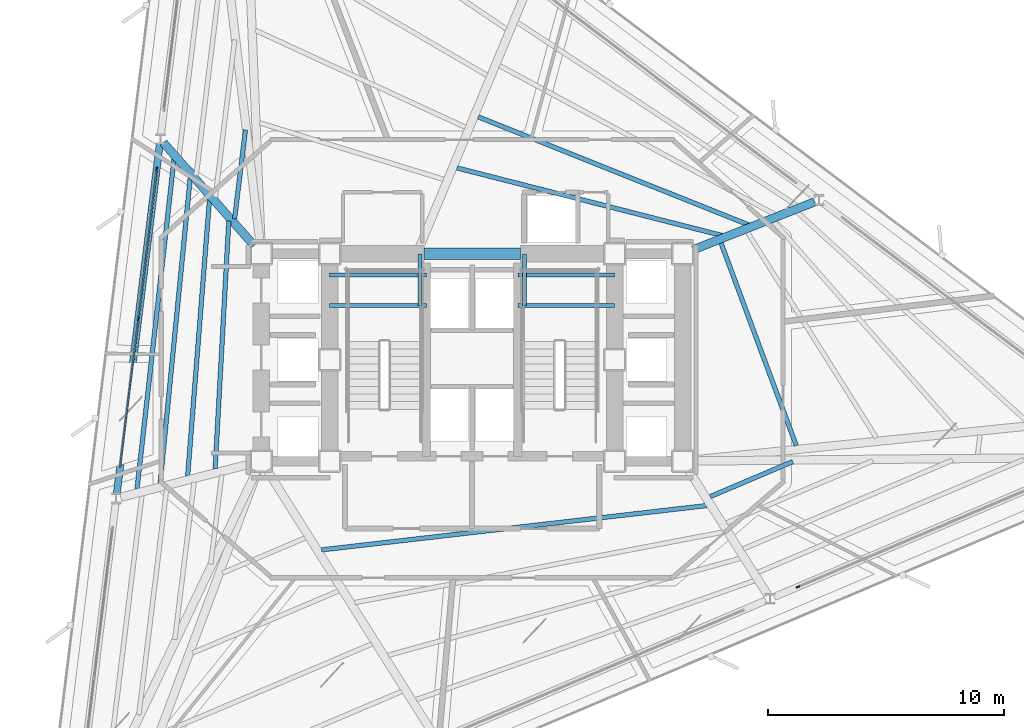
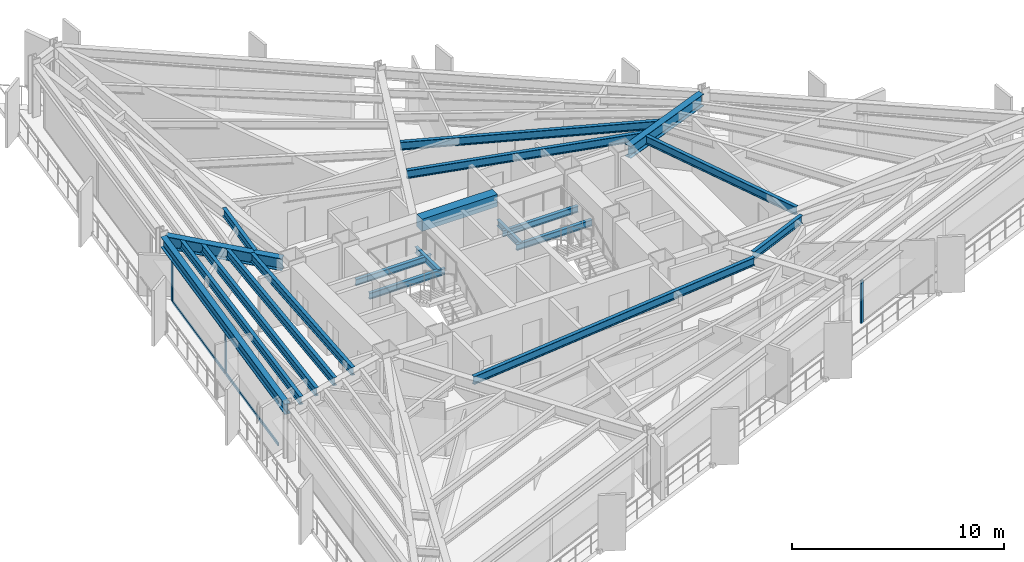
# One storey, part 3 of 13: 20 beams, 7 members, 2 elements without a shape of their own.
"""IFC4 building model written with IfcOpenShell, lengths in metres."""

from ifc_helpers import new_model, si_unit, direction, frame, origin, origin_2d, place, context, subcontext, project, spatial, rectangle, i_section, extrude, material, layer, layer_set, material_profile, profile_set, type_object, element, aggregate, save


model = new_model("IFC4")

# Units and contexts
model_context = context("Model", 3, precision=1e-05, world=origin(), true_north=direction((0.0, 1.0)))
body_context = subcontext(model_context, "Body", "Model", "MODEL_VIEW")
ifc_project = project(units=[si_unit("LENGTHUNIT", "METRE"), si_unit("AREAUNIT", "SQUARE_METRE"), si_unit("VOLUMEUNIT", "CUBIC_METRE"), si_unit("PLANEANGLEUNIT", "RADIAN"), si_unit("MASSUNIT", "GRAM", prefix="KILO")], contexts=[model_context])

# Site, building, storey
site_placement = place(None, origin())
site = spatial("IfcSite", under=ifc_project, at=site_placement, CompositionType="ELEMENT")
building_placement = place(site_placement, origin())
building = spatial("IfcBuilding", under=site, at=building_placement, Name="Rocaltana Carrier Exchange", CompositionType="ELEMENT")
storey_placement = place(building_placement, frame((0.0, 0.0, 66.39990234375)))
storey = spatial("IfcBuildingStorey", under=building, at=storey_placement, Name="L20", CompositionType="ELEMENT", Elevation=66.39990234375)

# Curtain wall, members
ifc_material_1 = material(Name="Aluminium 6063-T6", Category="aluminium")
ifc_layer = layer(ifc_material_1, 0.1650390625)
ifc_layer_set = layer_set([ifc_layer], Name="Aluminium 6063-T6")
curtain_wall_type = type_object("IfcCurtainWallType", Name="Lower-Mid Stepped Curtain Wall CW-02", PredefinedType="NOTDEFINED", material=ifc_layer_set)
curtain_wall_1_placement = place(storey_placement, origin())
curtain_wall_1 = element("IfcCurtainWall", 1, at=curtain_wall_1_placement, inside=storey, type_object=curtain_wall_type, Name="L20 CW-02 Run CW-L20-F2S2", PredefinedType="NOTDEFINED")
ifc_material_2 = material(Name="Aluminium 6063-T6", Category="aluminium")
ifc_material_profile_1 = material_profile(ifc_material_2, rectangle(XDim=0.06494140625, YDim=0.1650390625, at=origin_2d()), Name="AL-65X165")
ifc_profile_set_1 = profile_set([ifc_material_profile_1], Name="Aluminium 6063-T6")
member_type_1 = type_object("IfcMemberType", Name="CW-02 Mullion AL-65X165", PredefinedType="MULLION", material=ifc_profile_set_1)
member_1_placement = place(storey_placement, frame((-13.39404296875, 8.093505859375, 0.0), z_axis=(0.0, 0.0, 1.0), x_axis=(0.992545632614, -0.121873570472, 0.0)))
member_1 = element("IfcMember", 2, at=member_1_placement, type_object=member_type_1, Name="CW-02 mullion 1", PredefinedType="MULLION", context=body_context, shape_type="SweptSolid", body=[
    extrude(rectangle(XDim=0.06494140625, YDim=0.1650390625, at=origin_2d()), origin(), (0.0, 0.0, 1.0), 2.47802734375),
])
member_2_placement = place(storey_placement, frame((-14.17431640625, 1.740234375, 0.0), z_axis=(0.0, 0.0, 1.0), x_axis=(0.992545632614, -0.121873570472, 0.0)))
member_2 = element("IfcMember", 3, at=member_2_placement, type_object=member_type_1, Name="CW-02 mullion 2", PredefinedType="MULLION", context=body_context, shape_type="SweptSolid", body=[
    extrude(rectangle(XDim=0.06494140625, YDim=0.1650390625, at=origin_2d()), origin(), (0.0, 0.0, 1.0), 2.47802734375),
])

# Curtain wall, member
curtain_wall_2_placement = place(storey_placement, origin())
curtain_wall_2 = element("IfcCurtainWall", 4, at=curtain_wall_2_placement, inside=storey, type_object=curtain_wall_type, Name="L20 CW-02 Run CW-L20-F3S3", PredefinedType="NOTDEFINED")
member_3_placement = place(storey_placement, frame((13.8330078125, -9.642333984375, 0.0), z_axis=(0.0, 0.0, 1.0), x_axis=(-0.390735259141, 0.920503100084, 0.0)))
member_3 = element("IfcMember", 5, at=member_3_placement, type_object=member_type_1, Name="CW-02 mullion 1", PredefinedType="MULLION", context=body_context, shape_type="SweptSolid", body=[
    extrude(rectangle(XDim=0.06494140625, YDim=0.1650390625, at=origin_2d()), origin(), (0.0, 0.0, 1.0), 2.47802734375),
])
aggregate(curtain_wall_2, [member_3])

# Member
ifc_material_3 = material(Name="Aluminium 6063-T6", Category="aluminium")
ifc_material_profile_2 = material_profile(ifc_material_3, rectangle(XDim=0.06494140625, YDim=0.1650390625, at=origin_2d()), Name="AL-65X165")
ifc_profile_set_2 = profile_set([ifc_material_profile_2], Name="Aluminium 6063-T6")
member_type_2 = type_object("IfcMemberType", Name="CW-02 Transom AL-65X165", PredefinedType="USERDEFINED", material=ifc_profile_set_2)
member_4_placement = place(storey_placement, frame((-13.398193359375, 8.061279296875, 0.03271484375), z_axis=(-0.121881311797, -0.992544682034, 0.0), x_axis=(0.992544682034, -0.121881311797, 0.0)))
member_4 = element("IfcMember", 6, at=member_4_placement, type_object=member_type_2, Name="CW-02 transom 1.1", ObjectType="TRANSOM", PredefinedType="USERDEFINED", context=body_context, shape_type="SweptSolid", body=[
    extrude(rectangle(XDim=0.06494140625, YDim=0.1650390625, at=origin_2d()), origin(), (0.0, 0.0, 1.0), 6.335693359375),
])

member_5_placement = place(storey_placement, frame((-13.398193359375, 8.061279296875, 2.445556640625), z_axis=(-0.121881311797, -0.992544682034, 0.0), x_axis=(0.992544682034, -0.121881311797, 0.0)))
member_5 = element("IfcMember", 7, at=member_5_placement, type_object=member_type_2, Name="CW-02 transom 1.2", ObjectType="TRANSOM", PredefinedType="USERDEFINED", context=body_context, shape_type="SweptSolid", body=[
    extrude(rectangle(XDim=0.06494140625, YDim=0.1650390625, at=origin_2d()), origin(), (0.0, 0.0, 1.0), 6.335693359375),
])

member_6_placement = place(storey_placement, frame((-14.17822265625, 1.7080078125, 0.03271484375), z_axis=(-0.121881311797, -0.992544682034, 0.0), x_axis=(0.992544682034, -0.121881311797, 0.0)))
member_6 = element("IfcMember", 8, at=member_6_placement, type_object=member_type_2, Name="CW-02 transom 2.1", ObjectType="TRANSOM", PredefinedType="USERDEFINED", context=body_context, shape_type="SweptSolid", body=[
    extrude(rectangle(XDim=0.06494140625, YDim=0.1650390625, at=origin_2d()), origin(), (0.0, 0.0, 1.0), 6.335693359375),
])

member_7_placement = place(storey_placement, frame((-14.17822265625, 1.7080078125, 2.445556640625), z_axis=(-0.121881311797, -0.992544682034, 0.0), x_axis=(0.992544682034, -0.121881311797, 0.0)))
member_7 = element("IfcMember", 9, at=member_7_placement, type_object=member_type_2, Name="CW-02 transom 2.2", ObjectType="TRANSOM", PredefinedType="USERDEFINED", context=body_context, shape_type="SweptSolid", body=[
    extrude(rectangle(XDim=0.06494140625, YDim=0.1650390625, at=origin_2d()), origin(), (0.0, 0.0, 1.0), 6.335693359375),
])

aggregate(curtain_wall_1, [member_1, member_2, member_4, member_5, member_6, member_7])

# Beams
ifc_material_4 = material(Name="Concrete C60/75", Category="concrete")
ifc_material_profile_3 = material_profile(ifc_material_4, rectangle(XDim=0.5, YDim=0.699951171875, at=origin_2d()), Name="RC-BM-500X700")
ifc_profile_set_3 = profile_set([ifc_material_profile_3], Name="Concrete C60/75")
beam_type_1 = type_object("IfcBeamType", Name="Core Coupling Lintel 500x700", PredefinedType="LINTEL", material=ifc_profile_set_3)
beam_1_placement = place(storey_placement, frame((-2.050048828125, 4.5, 2.748046875), z_axis=(1.0, 0.0, 0.0), x_axis=(0.0, 1.0, 0.0)))
element("IfcBeam", 10, at=beam_1_placement, inside=storey, type_object=beam_type_1, Name="L20 Core Coupling Lintel CL-N", PredefinedType="LINTEL", context=body_context, shape_type="SweptSolid", body=[
    extrude(rectangle(XDim=0.5, YDim=0.699951171875, at=origin_2d()), origin(), (0.0, 0.0, 1.0), 4.10009765625),
])
ifc_material_5 = material(Name="Steel S355", Category="steel")
ifc_material_profile_4 = material_profile(ifc_material_5, i_section(OverallWidth=0.172119140625, OverallDepth=0.35791015625, WebThickness=0.0078125, FlangeThickness=0.01318359375, FilletRadius=0.011962890625, at=origin_2d()), Name="W14X38")
ifc_profile_set_4 = profile_set([ifc_material_profile_4], Name="Steel S355")
beam_type_2 = type_object("IfcBeamType", Name="Floor Joist W14X38", PredefinedType="JOIST", material=ifc_profile_set_4)
for number, where, z_axis, x_axis, name in (
    (11, (-6.050048828125, 2.300048828125, 1.301025390625), (1.0, 0.0, 0.0), (0.0, 1.0, 0.0), "L20 ST-1 Landing Carrier 1"),
    (12, (1.93994140625, 2.300048828125, 1.301025390625), (1.0, 0.0, 0.0), (0.0, 1.0, 0.0), "L20 ST-2 Landing Carrier 1"),
    (13, (-6.050048828125, 3.60009765625, 1.301025390625), (1.0, 0.0, 0.0), (0.0, 1.0, 0.0), "L20 ST-1 Landing Carrier 2"),
    (14, (1.93994140625, 3.60009765625, 1.301025390625), (1.0, 0.0, 0.0), (0.0, 1.0, 0.0), "L20 ST-2 Landing Carrier 2"),
):
    element("IfcBeam", number, at=place(storey_placement, frame(where, z_axis=z_axis, x_axis=x_axis)), inside=storey, type_object=beam_type_2, Name=name, PredefinedType="JOIST", context=body_context, shape_type="SweptSolid", body=[
        extrude(i_section(OverallWidth=0.172119140625, OverallDepth=0.35791015625, WebThickness=0.0078125, FlangeThickness=0.01318359375, FilletRadius=0.011962890625, at=origin_2d()), origin(), (0.0, 0.0, 1.0), 4.110107421875),
    ])
for number, where, z_axis, x_axis, name in (
    (15, (-2.219970703125, 2.300048828125, 1.301025390625), (0.0, 1.0, 0.0), (-1.0, 0.0, 0.0), "L20 ST-1 Landing Cross Trimmer"),
    (16, (2.219970703125, 2.300048828125, 1.301025390625), (0.0, 1.0, 0.0), (-1.0, 0.0, 0.0), "L20 ST-2 Landing Cross Trimmer"),
):
    element("IfcBeam", number, at=place(storey_placement, frame(where, z_axis=z_axis, x_axis=x_axis)), inside=storey, type_object=beam_type_2, Name=name, PredefinedType="JOIST", context=body_context, shape_type="SweptSolid", body=[
        extrude(i_section(OverallWidth=0.172119140625, OverallDepth=0.35791015625, WebThickness=0.0078125, FlangeThickness=0.01318359375, FilletRadius=0.011962890625, at=origin_2d()), origin(), (0.0, 0.0, 1.0), 2.199951171875),
    ])
ifc_material_6 = material(Name="Steel S355", Category="steel")
ifc_material_profile_5 = material_profile(ifc_material_6, i_section(OverallWidth=0.193115234375, OverallDepth=0.466064453125, WebThickness=0.011474609375, FlangeThickness=0.01904296875, FilletRadius=0.013916015625, at=origin_2d()), Name="W18X65")
ifc_profile_set_5 = profile_set([ifc_material_profile_5], Name="Steel S355")
beam_type_3 = type_object("IfcBeamType", Name="Floor Joist W18X65", PredefinedType="JOIST", material=ifc_profile_set_5)
beam_2_placement = place(storey_placement, frame((13.7646484375, -3.644287109375, 2.864990234375), z_axis=(-0.348190538878, 0.937423782841, 0.0), x_axis=(-0.937423782841, -0.348190538878, 0.0)))
element("IfcBeam", 17, at=beam_2_placement, inside=storey, type_object=beam_type_3, Name="FJ-L20-01-1", PredefinedType="JOIST", context=body_context, shape_type="SweptSolid", body=[
    extrude(i_section(OverallWidth=0.193115234375, OverallDepth=0.466064453125, WebThickness=0.011474609375, FlangeThickness=0.01904296875, FilletRadius=0.013916015625, at=origin_2d()), origin(), (0.0, 0.0, 1.0), 9.17333984375),
])
beam_3_placement = place(storey_placement, frame((10.633544921875, 5.272216796875, 2.864990234375), z_axis=(-0.969019358716, 0.246984781785, 0.0), x_axis=(-0.246984781785, -0.969019358716, 0.0)))
element("IfcBeam", 18, at=beam_3_placement, inside=storey, type_object=beam_type_3, Name="FJ-L20-02-1", PredefinedType="JOIST", context=body_context, shape_type="SweptSolid", body=[
    extrude(i_section(OverallWidth=0.193115234375, OverallDepth=0.466064453125, WebThickness=0.011474609375, FlangeThickness=0.01904296875, FilletRadius=0.013916015625, at=origin_2d()), origin(), (0.0, 0.0, 1.0), 11.639404296875),
])
beam_4_placement = place(storey_placement, frame((11.73876953125, 5.72705078125, 2.864990234375), z_axis=(-0.928527082135, 0.371264673436, 0.0), x_axis=(-0.371264673436, -0.928527082135, 0.0)))
element("IfcBeam", 19, at=beam_4_placement, inside=storey, type_object=beam_type_3, Name="FJ-L20-02-2", PredefinedType="JOIST", context=body_context, shape_type="SweptSolid", body=[
    extrude(i_section(OverallWidth=0.193115234375, OverallDepth=0.466064453125, WebThickness=0.011474609375, FlangeThickness=0.01904296875, FilletRadius=0.013916015625, at=origin_2d()), origin(), (0.0, 0.0, 1.0), 12.36083984375),
])
beam_5_placement = place(storey_placement, frame((-9.623046875, 9.76171875, 2.864990234375), z_axis=(-0.121879106214, -0.99254495287, 0.0), x_axis=(0.99254495287, -0.121879106214, 0.0)))
element("IfcBeam", 20, at=beam_5_placement, inside=storey, type_object=beam_type_3, Name="FJ-L20-05-1", PredefinedType="JOIST", context=body_context, shape_type="SweptSolid", body=[
    extrude(i_section(OverallWidth=0.193115234375, OverallDepth=0.466064453125, WebThickness=0.011474609375, FlangeThickness=0.01904296875, FilletRadius=0.013916015625, at=origin_2d()), origin(), (0.0, 0.0, 1.0), 3.805908203125),
])
beam_6_placement = place(storey_placement, frame((-10.33154296875, 5.885986328125, 2.864990234375), z_axis=(-0.055068403042, -0.998482584218, 0.0), x_axis=(0.998482584218, -0.055068403042, 0.0)))
element("IfcBeam", 21, at=beam_6_placement, inside=storey, type_object=beam_type_3, Name="FJ-L20-06-1", PredefinedType="JOIST", context=body_context, shape_type="SweptSolid", body=[
    extrude(i_section(OverallWidth=0.193115234375, OverallDepth=0.466064453125, WebThickness=0.011474609375, FlangeThickness=0.01904296875, FilletRadius=0.013916015625, at=origin_2d()), origin(), (0.0, 0.0, 1.0), 10.5380859375),
])
beam_7_placement = place(storey_placement, frame((-11.150390625, 6.810791015625, 2.864990234375), z_axis=(-0.078741493591, -0.996895068293, 0.0), x_axis=(0.996895068293, -0.078741493591, 0.0)))
element("IfcBeam", 22, at=beam_7_placement, inside=storey, type_object=beam_type_3, Name="FJ-L20-06-2", PredefinedType="JOIST", context=body_context, shape_type="SweptSolid", body=[
    extrude(i_section(OverallWidth=0.193115234375, OverallDepth=0.466064453125, WebThickness=0.011474609375, FlangeThickness=0.01904296875, FilletRadius=0.013916015625, at=origin_2d()), origin(), (0.0, 0.0, 1.0), 11.78515625),
])
beam_8_placement = place(storey_placement, frame((-11.96826171875, 7.73583984375, 2.864990234375), z_axis=(-0.097972183255, -0.995189153532, 0.0), x_axis=(0.995189153532, -0.097972183255, 0.0)))
element("IfcBeam", 23, at=beam_8_placement, inside=storey, type_object=beam_type_3, Name="FJ-L20-06-3", PredefinedType="JOIST", context=body_context, shape_type="SweptSolid", body=[
    extrude(i_section(OverallWidth=0.193115234375, OverallDepth=0.466064453125, WebThickness=0.011474609375, FlangeThickness=0.01904296875, FilletRadius=0.013916015625, at=origin_2d()), origin(), (0.0, 0.0, 1.0), 13.037841796875),
])
beam_9_placement = place(storey_placement, frame((-12.65673828125, 8.5146484375, 2.864990234375), z_axis=(-0.111539715424, -0.993759976998, 0.0), x_axis=(0.993759976998, -0.111539715424, 0.0)))
element("IfcBeam", 24, at=beam_9_placement, inside=storey, type_object=beam_type_3, Name="FJ-L20-06-4", PredefinedType="JOIST", context=body_context, shape_type="SweptSolid", body=[
    extrude(i_section(OverallWidth=0.193115234375, OverallDepth=0.466064453125, WebThickness=0.011474609375, FlangeThickness=0.01904296875, FilletRadius=0.013916015625, at=origin_2d()), origin(), (0.0, 0.0, 1.0), 14.095947265625),
])
beam_10_placement = place(storey_placement, frame((-6.393310546875, -8.071533203125, 2.864990234375), z_axis=(0.993445833528, 0.114303875027, 0.0), x_axis=(-0.114303875027, 0.993445833528, 0.0)))
element("IfcBeam", 25, at=beam_10_placement, inside=storey, type_object=beam_type_3, Name="FJ-L20-10-1", PredefinedType="JOIST", context=body_context, shape_type="SweptSolid", body=[
    extrude(i_section(OverallWidth=0.193115234375, OverallDepth=0.466064453125, WebThickness=0.011474609375, FlangeThickness=0.01904296875, FilletRadius=0.013916015625, at=origin_2d()), origin(), (0.0, 0.0, 1.0), 16.465576171875),
])
beam_11_placement = place(storey_placement, frame((10.107421875, -5.810791015625, 2.864990234375), z_axis=(0.920496503987, 0.390750798013, 0.0), x_axis=(-0.390750798013, 0.920496503987, 0.0)))
element("IfcBeam", 26, at=beam_11_placement, inside=storey, type_object=beam_type_3, Name="FJ-L20-11-1", PredefinedType="JOIST", context=body_context, shape_type="SweptSolid", body=[
    extrude(i_section(OverallWidth=0.193115234375, OverallDepth=0.466064453125, WebThickness=0.011474609375, FlangeThickness=0.01904296875, FilletRadius=0.013916015625, at=origin_2d()), origin(), (0.0, 0.0, 1.0), 3.80615234375),
])
ifc_material_7 = material(Name="Steel S355", Category="steel")
ifc_material_profile_6 = material_profile(ifc_material_7, i_section(OverallWidth=0.35498046875, OverallDepth=0.695068359375, WebThickness=0.015380859375, FlangeThickness=0.02490234375, FilletRadius=0.01806640625, at=origin_2d()), Name="W27X146")
ifc_profile_set_6 = profile_set([ifc_material_profile_6], Name="Steel S355")
beam_type_4 = type_object("IfcBeamType", Name="Radial Girder W27X146", PredefinedType="BEAM", material=ifc_profile_set_6)
beam_12_placement = place(storey_placement, frame((9.384521484375, 4.67138671875, 2.75048828125), z_axis=(0.93018805463, 0.367083346153, 0.0), x_axis=(-0.367083346153, 0.93018805463, 0.0)))
element("IfcBeam", 27, at=beam_12_placement, inside=storey, type_object=beam_type_4, Name="RG-L20-02", PredefinedType="BEAM", context=body_context, shape_type="SweptSolid", body=[
    extrude(i_section(OverallWidth=0.35498046875, OverallDepth=0.695068359375, WebThickness=0.015380859375, FlangeThickness=0.02490234375, FilletRadius=0.01806640625, at=origin_2d()), origin(), (0.0, 0.0, 1.0), 5.546142578125),
])
beam_13_placement = place(storey_placement, frame((-9.2587890625, 4.850341796875, 2.75048828125), z_axis=(-0.661091296073, 0.750305469963, 0.0), x_axis=(-0.750305469963, -0.661091296073, 0.0)))
element("IfcBeam", 28, at=beam_13_placement, inside=storey, type_object=beam_type_4, Name="RG-L20-06", PredefinedType="BEAM", context=body_context, shape_type="SweptSolid", body=[
    extrude(i_section(OverallWidth=0.35498046875, OverallDepth=0.695068359375, WebThickness=0.015380859375, FlangeThickness=0.02490234375, FilletRadius=0.01806640625, at=origin_2d()), origin(), (0.0, 0.0, 1.0), 5.81787109375),
])
ifc_material_8 = material(Name="Steel S355", Category="steel")
ifc_material_profile_7 = material_profile(ifc_material_8, i_section(OverallWidth=0.300048828125, OverallDepth=0.60009765625, WebThickness=0.015380859375, FlangeThickness=0.030029296875, FilletRadius=0.027099609375, at=origin_2d()), Name="HEB600")
ifc_profile_set_7 = profile_set([ifc_material_profile_7], Name="Steel S355")
beam_type_5 = type_object("IfcBeamType", Name="Spandrel Edge Beam HEB600", PredefinedType="SPANDREL", material=ifc_profile_set_7)
beam_14_placement = place(storey_placement, frame((-13.262451171875, 9.1669921875, 2.798095703125), z_axis=(-0.121867898519, -0.99254632905, 0.0), x_axis=(0.99254632905, -0.121867898519, 0.0)))
element("IfcBeam", 29, at=beam_14_placement, inside=storey, type_object=beam_type_5, Name="SP-L20-06", PredefinedType="SPANDREL", context=body_context, shape_type="SweptSolid", body=[
    extrude(i_section(OverallWidth=0.300048828125, OverallDepth=0.60009765625, WebThickness=0.015380859375, FlangeThickness=0.030029296875, FilletRadius=0.027099609375, at=origin_2d()), origin(), (0.0, 0.0, 1.0), 14.96484375),
])

save(model, "model.ifc")
